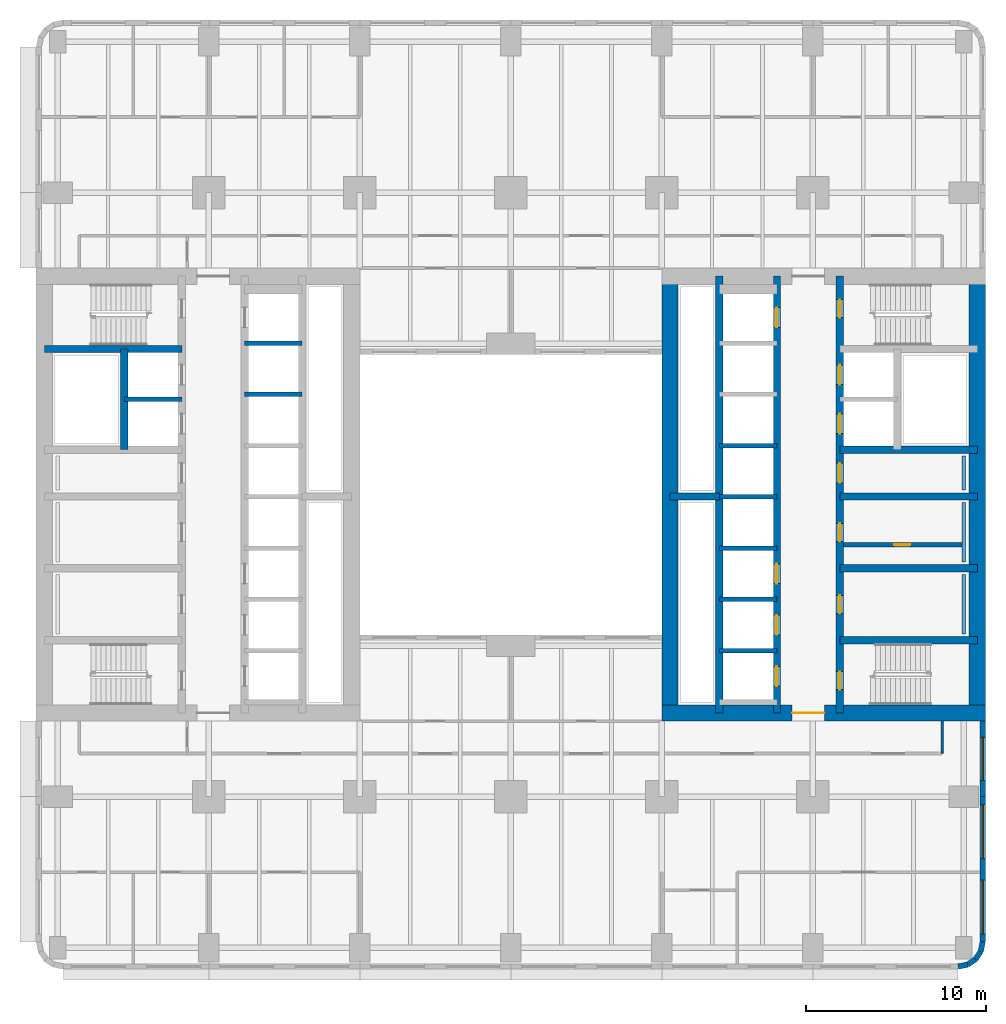
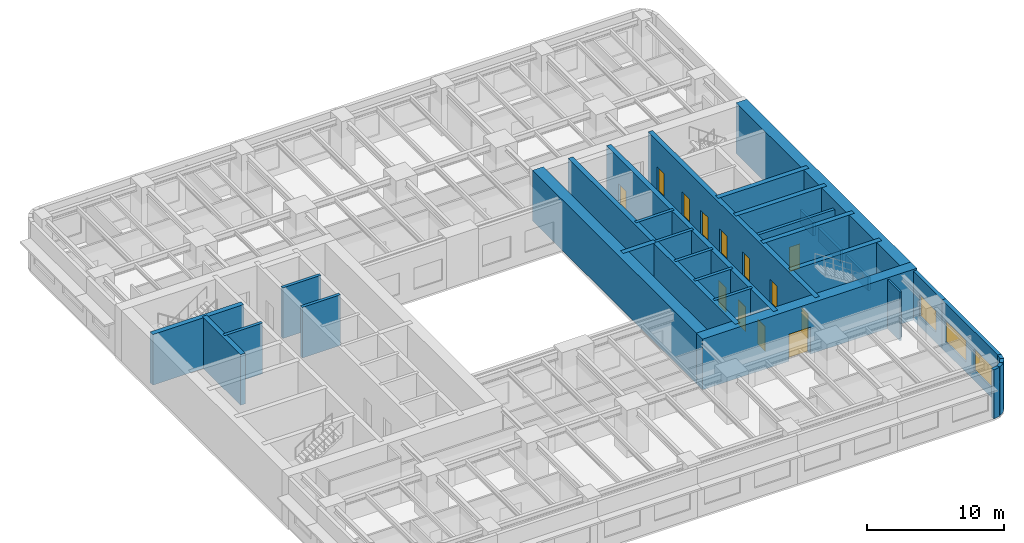
# One storey, part 5 of 14: 32 walls, 13 doors, 3 windows, 16 openings.
"""IFC4 building model written with IfcOpenShell, lengths in metres."""

from ifc_helpers import new_model, si_unit, direction, frame, frame_2d, origin, place, context, subcontext, project, spatial, rectangle, extrude, material, layer, layer_set, type_object, element, fill, save


model = new_model("IFC4")

# Units and contexts
model_context = context("Model", 3, precision=1e-05, world=origin(), true_north=direction((0.0, 1.0)))
body_context = subcontext(model_context, "Body", "Model", "MODEL_VIEW")
ifc_project = project(units=[si_unit("LENGTHUNIT", "METRE"), si_unit("AREAUNIT", "SQUARE_METRE"), si_unit("VOLUMEUNIT", "CUBIC_METRE"), si_unit("PLANEANGLEUNIT", "RADIAN"), si_unit("MASSUNIT", "GRAM", prefix="KILO")], contexts=[model_context])

# Site, building, storey
site_placement = place(None, origin())
site = spatial("IfcSite", under=ifc_project, at=site_placement, CompositionType="ELEMENT")
building_placement = place(site_placement, origin())
building = spatial("IfcBuilding", under=site, at=building_placement, Name="Claustro Exchange Tower", CompositionType="ELEMENT")
storey_placement = place(building_placement, frame((0.0, 0.0, 27.89990234375)))
storey = spatial("IfcBuildingStorey", under=building, at=storey_placement, Name="L06", CompositionType="ELEMENT", Elevation=27.89990234375)

# Wall
ifc_material_1 = material(Name="Gypsum board on steel studs", Category="steel")
ifc_layer_1 = layer(ifc_material_1, 0.14990234375)
ifc_layer_set_1 = layer_set([ifc_layer_1], Name="Gypsum board on steel studs")
wall_type_1 = type_object("IfcWallType", Name="P1 150 plasterboard partition", PredefinedType="PARTITIONING", material=ifc_layer_set_1)
wall_1_placement = place(storey_placement, frame((49.199951171875, 10.800048828125, 0.0), z_axis=(0.0, 0.0, 1.0), x_axis=(0.0, 1.0, 0.0)))
element("IfcWall", 1, at=wall_1_placement, inside=storey, type_object=wall_type_1, Name="Partition P1 L06", PredefinedType="PARTITIONING", context=body_context, shape_type="SweptSolid", body=[
    extrude(rectangle(XDim=1.802001953125, YDim=0.14990234375, at=frame_2d((0.90087890625, 0.0))), origin(), (0.0, 0.0, 1.0), 4.340087890625),
])

# Wall, opening, door
ifc_material_2 = material(Name="Concrete blockwork, rendered", Category="masonry")
ifc_layer_2 = layer(ifc_material_2, 0.25)
ifc_layer_set_2 = layer_set([ifc_layer_2], Name="Concrete blockwork, rendered")
wall_type_2 = type_object("IfcWallType", Name="P4 250 blockwork wall", PredefinedType="PARTITIONING", material=ifc_layer_set_2)
wall_2_placement = place(storey_placement, frame((43.699951171875, 22.39990234375, 0.0), z_axis=(0.0, 0.0, 1.0), x_axis=(1.0, 0.0, 0.0)))
wall_2 = element("IfcWall", 2, at=wall_2_placement, inside=storey, type_object=wall_type_2, Name="Partition P4 L06", PredefinedType="PARTITIONING", context=body_context, shape_type="SweptSolid", body=[
    extrude(rectangle(XDim=6.60009765625, YDim=0.25, at=frame_2d((3.300048828125, 0.0))), origin(), (0.0, 0.0, 1.0), 4.300048828125),
])
opening_1_placement = place(wall_2_placement, frame((2.824951171875, 0.0, 0.0)))
opening_1 = element("IfcOpeningElement", 3, at=opening_1_placement, cuts=wall_2, Name="Opening D5", PredefinedType="OPENING", context=body_context, shape_type="SweptSolid", body=[
    extrude(rectangle(XDim=0.89990234375, YDim=2.199951171875, at=frame_2d((0.449951171875, 1.10009765625))), frame((0.0, 0.135009765625, 0.0), z_axis=(0.0, -1.0, 0.0), x_axis=(1.0, 0.0, 0.0)), (0.0, 0.0, 1.0), 0.27001953125),
])
ifc_material_3 = material(Name="Steel door, painted", Category="steel")
door_type_1 = type_object("IfcDoorType", Name="D5 900 x 2200 store door", OperationType="SINGLE_SWING_LEFT", PredefinedType="DOOR", material=ifc_material_3)
door_1_placement = place(opening_1_placement, frame((0.89990234375, 0.0, 0.0), z_axis=(0.0, 0.0, 1.0), x_axis=(-1.0, 0.0, 0.0)))
door_1 = element("IfcDoor", 4, at=door_1_placement, inside=storey, type_object=door_type_1, Name="Store door D5 L06", OperationType="SINGLE_SWING_LEFT", OverallHeight=2.199951171875, OverallWidth=0.89990234375, PredefinedType="DOOR", context=body_context, shape_type="SweptSolid", body=[
    extrude(rectangle(XDim=0.89990234375, YDim=2.199951171875, at=frame_2d((0.449951171875, 1.10009765625))), frame((0.0, 0.02490234375, 0.0), z_axis=(0.0, -1.0, 0.0), x_axis=(1.0, 0.0, 0.0)), (0.0, 0.0, 1.0), 0.050048828125),
])
fill(opening_1, door_1)

# Wall, opening, window
ifc_material_4 = material(Name="Concrete HA-40 (C40/50), precast, white cement, acid-etched", Category="concrete")
ifc_layer_3 = layer(ifc_material_4, 0.300048828125)
ifc_layer_set_3 = layer_set([ifc_layer_3], Name="Concrete HA-40 (C40/50), precast, white cement, acid-etched")
wall_type_3 = type_object("IfcWallType", Name="PC1 300 precast concrete pier panel", PredefinedType="SOLIDWALL", material=ifc_layer_set_3)
wall_3_placement = place(storey_placement, frame((51.449951171875, 12.60009765625, 0.0), z_axis=(0.0, 0.0, 1.0), x_axis=(0.0, -1.0, 0.0)))
wall_3 = element("IfcWall", 5, at=wall_3_placement, inside=storey, type_object=wall_type_3, Name="Precast pier panel PC1 L06", PredefinedType="SOLIDWALL", context=body_context, shape_type="SweptSolid", body=[
    extrude(rectangle(XDim=4.2001953125, YDim=0.300048828125, at=frame_2d((2.10009765625, 0.0))), origin(), (0.0, 0.0, 1.0), 4.340087890625),
])
opening_2_placement = place(wall_3_placement, frame((0.89990234375, 0.0, 0.89990234375)))
opening_2 = element("IfcOpeningElement", 6, at=opening_2_placement, cuts=wall_3, Name="Opening W2", PredefinedType="OPENING", context=body_context, shape_type="SweptSolid", body=[
    extrude(rectangle(XDim=2.39990234375, YDim=1.89990234375, at=frame_2d((1.199951171875, 0.949951171875))), frame((0.0, 0.159912109375, 0.0), z_axis=(0.0, -1.0, 0.0), x_axis=(1.0, 0.0, 0.0)), (0.0, 0.0, 1.0), 0.320068359375),
])
ifc_material_5 = material(Name="Aluminium frame, clear double glazing", Category="aluminium")
window_type_1 = type_object("IfcWindowType", Name="W2 2400 x 1900 window", PartitioningType="SINGLE_PANEL", PredefinedType="WINDOW", material=ifc_material_5)
window_1_placement = place(opening_2_placement, origin())
window_1 = element("IfcWindow", 7, at=window_1_placement, inside=storey, type_object=window_type_1, Name="Window W2 L06", OverallHeight=1.89990234375, OverallWidth=2.39990234375, PartitioningType="SINGLE_PANEL", PredefinedType="WINDOW", context=body_context, shape_type="SweptSolid", body=[
    extrude(rectangle(XDim=2.39990234375, YDim=1.89990234375, at=frame_2d((1.199951171875, 0.949951171875))), frame((0.0, 0.030029296875, 0.0), z_axis=(0.0, -1.0, 0.0), x_axis=(1.0, 0.0, 0.0)), (0.0, 0.0, 1.0), 0.06005859375),
])
fill(opening_2, window_1)

# Wall, openings, windows
wall_4_placement = place(storey_placement, frame((51.449951171875, 8.39990234375, 0.0), z_axis=(0.0, 0.0, 1.0), x_axis=(0.0, -1.0, 0.0)))
wall_4 = element("IfcWall", 8, at=wall_4_placement, inside=storey, type_object=wall_type_3, Name="Precast pier panel PC1 L06", PredefinedType="SOLIDWALL", context=body_context, shape_type="SweptSolid", body=[
    extrude(rectangle(XDim=8.085205078125, YDim=0.300048828125, at=frame_2d((4.04248046875, 0.0))), origin(), (0.0, 0.0, 1.0), 4.340087890625),
])
opening_3_placement = place(wall_4_placement, frame((0.442626953125, 0.0, 0.89990234375)))
opening_3 = element("IfcOpeningElement", 9, at=opening_3_placement, cuts=wall_4, Name="Opening W1", PredefinedType="OPENING", context=body_context, shape_type="SweptSolid", body=[
    extrude(rectangle(XDim=3.0, YDim=1.89990234375, at=frame_2d((1.5, 0.949951171875))), frame((0.0, 0.159912109375, 0.0), z_axis=(0.0, -1.0, 0.0), x_axis=(1.0, 0.0, 0.0)), (0.0, 0.0, 1.0), 0.320068359375),
])
opening_4_placement = place(wall_4_placement, frame((4.642578125, 0.0, 0.89990234375)))
opening_4 = element("IfcOpeningElement", 10, at=opening_4_placement, cuts=wall_4, Name="Opening W1", PredefinedType="OPENING", context=body_context, shape_type="SweptSolid", body=[
    extrude(rectangle(XDim=3.0, YDim=1.89990234375, at=frame_2d((1.5, 0.949951171875))), frame((0.0, 0.159912109375, 0.0), z_axis=(0.0, -1.0, 0.0), x_axis=(1.0, 0.0, 0.0)), (0.0, 0.0, 1.0), 0.320068359375),
])
ifc_material_6 = material(Name="Aluminium frame, clear double glazing", Category="aluminium")
window_type_2 = type_object("IfcWindowType", Name="W1 3000 x 1900 window", PartitioningType="SINGLE_PANEL", PredefinedType="WINDOW", material=ifc_material_6)
window_2_placement = place(opening_3_placement, origin())
window_2 = element("IfcWindow", 11, at=window_2_placement, inside=storey, type_object=window_type_2, Name="Window W1 L06", OverallHeight=1.89990234375, OverallWidth=3.0, PartitioningType="SINGLE_PANEL", PredefinedType="WINDOW", context=body_context, shape_type="SweptSolid", body=[
    extrude(rectangle(XDim=3.0, YDim=1.89990234375, at=frame_2d((1.5, 0.949951171875))), frame((0.0, 0.030029296875, 0.0), z_axis=(0.0, -1.0, 0.0), x_axis=(1.0, 0.0, 0.0)), (0.0, 0.0, 1.0), 0.06005859375),
])
fill(opening_3, window_2)
window_3_placement = place(opening_4_placement, origin())
window_3 = element("IfcWindow", 12, at=window_3_placement, inside=storey, type_object=window_type_2, Name="Window W1 L06", OverallHeight=1.89990234375, OverallWidth=3.0, PartitioningType="SINGLE_PANEL", PredefinedType="WINDOW", context=body_context, shape_type="SweptSolid", body=[
    extrude(rectangle(XDim=3.0, YDim=1.89990234375, at=frame_2d((1.5, 0.949951171875))), frame((0.0, 0.030029296875, 0.0), z_axis=(0.0, -1.0, 0.0), x_axis=(1.0, 0.0, 0.0)), (0.0, 0.0, 1.0), 0.06005859375),
])
fill(opening_4, window_3)

# Walls
wall_5_placement = place(storey_placement, frame((51.449951171875, 0.314697265625, 0.0), z_axis=(0.0, 0.0, 1.0), x_axis=(-0.195073962632, -0.980788534345, 0.0)))
element("IfcWall", 13, at=wall_5_placement, inside=storey, type_object=wall_type_3, Name="Precast pier panel PC1 L06", PredefinedType="SOLIDWALL", context=body_context, shape_type="SweptSolid", body=[
    extrude(rectangle(XDim=0.540771484375, YDim=0.300048828125, at=frame_2d((0.2705078125, 0.0))), origin(), (0.0, 0.0, 1.0), 4.340087890625),
])
for number, where, z_axis, x_axis, name in (
    (14, (51.344482421875, -0.215576171875, 0.0), (0.0, 0.0, 1.0), (-0.555557463938, -0.831478144188, 0.0), "Precast pier panel PC1 L06"),
    (15, (51.052490234375, -0.652587890625, 0.0), (0.0, 0.0, 1.0), (-0.831478144188, -0.555557463938, 0.0), "Precast pier panel PC1 L06"),
):
    element("IfcWall", number, at=place(storey_placement, frame(where, z_axis=z_axis, x_axis=x_axis)), inside=storey, type_object=wall_type_3, Name=name, PredefinedType="SOLIDWALL", context=body_context, shape_type="SweptSolid", body=[
        extrude(rectangle(XDim=0.525634765625, YDim=0.300048828125, at=frame_2d((0.2626953125, 0.0))), origin(), (0.0, 0.0, 1.0), 4.340087890625),
    ])
wall_6_placement = place(storey_placement, frame((50.615478515625, -0.944580078125, 0.0), z_axis=(0.0, 0.0, 1.0), x_axis=(-0.980788534345, -0.195073962632, 0.0)))
element("IfcWall", 16, at=wall_6_placement, inside=storey, type_object=wall_type_3, Name="Precast pier panel PC1 L06", PredefinedType="SOLIDWALL", context=body_context, shape_type="SweptSolid", body=[
    extrude(rectangle(XDim=0.540771484375, YDim=0.300048828125, at=frame_2d((0.2705078125, 0.0))), origin(), (0.0, 0.0, 1.0), 4.340087890625),
])
ifc_material_7 = material(Name="Gypsum board on steel studs, tiled", Category="steel")
ifc_layer_4 = layer(ifc_material_7, 0.199951171875)
ifc_layer_set_4 = layer_set([ifc_layer_4], Name="Gypsum board on steel studs, tiled")
wall_type_4 = type_object("IfcWallType", Name="PW1 200 WC duct wall", PredefinedType="PLUMBINGWALL", material=ifc_layer_set_4)
for number, where, z_axis, x_axis, name in (
    (17, (50.39990234375, 17.449951171875, 0.0), (0.0, 0.0, 1.0), (0.0, 1.0, 0.0), "WC duct wall PW1 L06"),
    (18, (50.39990234375, 21.449951171875, 0.0), (0.0, 0.0, 1.0), (0.0, 1.0, 0.0), "WC duct wall PW1 L06"),
):
    element("IfcWall", number, at=place(storey_placement, frame(where, z_axis=z_axis, x_axis=x_axis)), inside=storey, type_object=wall_type_4, Name=name, PredefinedType="PLUMBINGWALL", context=body_context, shape_type="SweptSolid", body=[
        extrude(rectangle(XDim=3.300048828125, YDim=0.199951171875, at=frame_2d((1.64990234375, 0.0))), origin(), (0.0, 0.0, 1.0), 1.2001953125),
    ])
wall_7_placement = place(storey_placement, frame((50.39990234375, 25.449951171875, 0.0), z_axis=(0.0, 0.0, 1.0), x_axis=(0.0, 1.0, 0.0)))
element("IfcWall", 19, at=wall_7_placement, inside=storey, type_object=wall_type_4, Name="WC duct wall PW1 L06", PredefinedType="PLUMBINGWALL", context=body_context, shape_type="SweptSolid", body=[
    extrude(rectangle(XDim=1.900146484375, YDim=0.199951171875, at=frame_2d((0.9501953125, 0.0))), origin(), (0.0, 0.0, 1.0), 1.2001953125),
])

# Wall, opening, door
ifc_material_8 = material(Name="Concrete HA-70 (C70/85)", Category="concrete")
ifc_layer_5 = layer(ifc_material_8, 0.89990234375)
ifc_layer_set_5 = layer_set([ifc_layer_5], Name="Concrete HA-70 (C70/85)")
wall_type_5 = type_object("IfcWallType", Name="SW1 900 core shear wall", PredefinedType="SHEAR", material=ifc_layer_set_5)
wall_8_placement = place(storey_placement, frame((33.60009765625, 13.050048828125, 0.0), z_axis=(0.0, 0.0, 1.0), x_axis=(1.0, 0.0, 0.0)))
wall_8 = element("IfcWall", 20, at=wall_8_placement, inside=storey, type_object=wall_type_5, Name="Core wall SW1 E core S face L06", PredefinedType="SHEAR", context=body_context, shape_type="SweptSolid", body=[
    extrude(rectangle(XDim=18.0, YDim=0.89990234375, at=frame_2d((9.0, 0.0))), origin(), (0.0, 0.0, 1.0), 4.5),
])
opening_5_placement = place(wall_8_placement, frame((7.25, 0.0, 0.0)))
opening_5 = element("IfcOpeningElement", 21, at=opening_5_placement, cuts=wall_8, Name="Opening D3", PredefinedType="OPENING", context=body_context, shape_type="SweptSolid", body=[
    extrude(rectangle(XDim=1.800048828125, YDim=2.39990234375, at=frame_2d((0.89990234375, 1.199951171875))), frame((0.0, 0.4599609375, 0.0), z_axis=(0.0, -1.0, 0.0), x_axis=(1.0, 0.0, 0.0)), (0.0, 0.0, 1.0), 0.919921875),
])
ifc_material_9 = material(Name="Steel fire door, painted", Category="steel")
door_type_2 = type_object("IfcDoorType", Name="D3 1800 x 2400 fire-rated lobby double door", OperationType="DOUBLE_DOOR_SINGLE_SWING", PredefinedType="DOOR", material=ifc_material_9)
door_2_placement = place(opening_5_placement, origin())
door_2 = element("IfcDoor", 22, at=door_2_placement, inside=storey, type_object=door_type_2, Name="Lift lobby door D3 L06", OperationType="DOUBLE_DOOR_SINGLE_SWING", OverallHeight=2.39990234375, OverallWidth=1.800048828125, PredefinedType="DOOR", context=body_context, shape_type="SweptSolid", body=[
    extrude(rectangle(XDim=1.800048828125, YDim=2.39990234375, at=frame_2d((0.89990234375, 1.199951171875))), frame((0.0, 0.02490234375, 0.0), z_axis=(0.0, -1.0, 0.0), x_axis=(1.0, 0.0, 0.0)), (0.0, 0.0, 1.0), 0.050048828125),
])
fill(opening_5, door_2)

# Walls
ifc_material_10 = material(Name="Concrete HA-70 (C70/85)", Category="concrete")
ifc_layer_6 = layer(ifc_material_10, 0.89990234375)
ifc_layer_set_6 = layer_set([ifc_layer_6], Name="Concrete HA-70 (C70/85)")
wall_type_6 = type_object("IfcWallType", Name="SW1X 900 exposed core shear wall, board-marked face", PredefinedType="SHEAR", material=ifc_layer_set_6)
for number, where, z_axis, x_axis, name in (
    (23, (34.050048828125, 13.050048828125, 0.0), (0.0, 0.0, 1.0), (0.0, 1.0, 0.0), "Core wall SW1X E core W face L06"),
    (24, (51.14990234375, 13.050048828125, 0.0), (0.0, 0.0, 1.0), (0.0, 1.0, 0.0), "Core wall SW1X E core E face L06"),
):
    element("IfcWall", number, at=place(storey_placement, frame(where, z_axis=z_axis, x_axis=x_axis)), inside=storey, type_object=wall_type_6, Name=name, PredefinedType="SHEAR", context=body_context, shape_type="SweptSolid", body=[
        extrude(rectangle(XDim=24.300048828125, YDim=0.89990234375, at=frame_2d((12.14990234375, 0.0))), origin(), (0.0, 0.0, 1.0), 4.5),
    ])
ifc_material_11 = material(Name="Concrete HA-50 (C50/60)", Category="concrete")
ifc_layer_7 = layer(ifc_material_11, 0.39990234375)
ifc_layer_set_7 = layer_set([ifc_layer_7], Name="Concrete HA-50 (C50/60)")
wall_type_7 = type_object("IfcWallType", Name="SW4 400 internal core wall", PredefinedType="SHEAR", material=ifc_layer_set_7)
wall_9_placement = place(storey_placement, frame((-0.75, 33.300048828125, 0.0), z_axis=(0.0, 0.0, 1.0), x_axis=(1.0, 0.0, 0.0)))
element("IfcWall", 25, at=wall_9_placement, inside=storey, type_object=wall_type_7, Name="Internal core wall SW4 W core L06", PredefinedType="SHEAR", context=body_context, shape_type="SweptSolid", body=[
    extrude(rectangle(XDim=7.64990234375, YDim=0.39990234375, at=frame_2d((3.824951171875, 0.0))), origin(), (0.0, 0.0, 1.0), 4.5),
])
wall_10_placement = place(storey_placement, frame((3.699951171875, 27.699951171875, 0.0), z_axis=(0.0, 0.0, 1.0), x_axis=(0.0, 1.0, 0.0)))
element("IfcWall", 26, at=wall_10_placement, inside=storey, type_object=wall_type_7, Name="Internal core wall SW4 W core L06", PredefinedType="SHEAR", context=body_context, shape_type="SweptSolid", body=[
    extrude(rectangle(XDim=5.60009765625, YDim=0.39990234375, at=frame_2d((2.800048828125, 0.0))), origin(), (0.0, 0.0, 1.0), 4.5),
])

# Wall, openings, doors
wall_11_placement = place(storey_placement, frame((43.5, 13.050048828125, 0.0), z_axis=(0.0, 0.0, 1.0), x_axis=(0.0, 1.0, 0.0)))
wall_11 = element("IfcWall", 27, at=wall_11_placement, inside=storey, type_object=wall_type_7, Name="Internal core wall SW4 E core L06", PredefinedType="SHEAR", context=body_context, shape_type="SweptSolid", body=[
    extrude(rectangle(XDim=24.300048828125, YDim=0.39990234375, at=frame_2d((12.14990234375, 0.0))), origin(), (0.0, 0.0, 1.0), 4.5),
])
opening_6_placement = place(wall_11_placement, frame((1.300048828125, 0.0, 0.0)))
opening_6 = element("IfcOpeningElement", 28, at=opening_6_placement, cuts=wall_11, Name="Opening D4", PredefinedType="OPENING", context=body_context, shape_type="SweptSolid", body=[
    extrude(rectangle(XDim=1.0, YDim=2.199951171875, at=frame_2d((0.5, 1.10009765625))), frame((0.0, 0.2099609375, 0.0), z_axis=(0.0, -1.0, 0.0), x_axis=(1.0, 0.0, 0.0)), (0.0, 0.0, 1.0), 0.419921875),
])
opening_7_placement = place(wall_11_placement, frame((22.0, 0.0, 0.0)))
opening_7 = element("IfcOpeningElement", 29, at=opening_7_placement, cuts=wall_11, Name="Opening D4", PredefinedType="OPENING", context=body_context, shape_type="SweptSolid", body=[
    extrude(rectangle(XDim=1.0, YDim=2.199951171875, at=frame_2d((0.5, 1.10009765625))), frame((0.0, 0.2099609375, 0.0), z_axis=(0.0, -1.0, 0.0), x_axis=(1.0, 0.0, 0.0)), (0.0, 0.0, 1.0), 0.419921875),
])
opening_8_placement = place(wall_11_placement, frame((5.550048828125, 0.0, 0.0)))
opening_8 = element("IfcOpeningElement", 30, at=opening_8_placement, cuts=wall_11, Name="Opening D1", PredefinedType="OPENING", context=body_context, shape_type="SweptSolid", body=[
    extrude(rectangle(XDim=1.0, YDim=2.199951171875, at=frame_2d((0.5, 1.10009765625))), frame((0.0, 0.2099609375, 0.0), z_axis=(0.0, -1.0, 0.0), x_axis=(1.0, 0.0, 0.0)), (0.0, 0.0, 1.0), 0.419921875),
])
opening_9_placement = place(wall_11_placement, frame((9.550048828125, 0.0, 0.0)))
opening_9 = element("IfcOpeningElement", 31, at=opening_9_placement, cuts=wall_11, Name="Opening D1", PredefinedType="OPENING", context=body_context, shape_type="SweptSolid", body=[
    extrude(rectangle(XDim=1.0, YDim=2.199951171875, at=frame_2d((0.5, 1.10009765625))), frame((0.0, 0.2099609375, 0.0), z_axis=(0.0, -1.0, 0.0), x_axis=(1.0, 0.0, 0.0)), (0.0, 0.0, 1.0), 0.419921875),
])
opening_10_placement = place(wall_11_placement, frame((12.800048828125, 0.0, 0.0)))
opening_10 = element("IfcOpeningElement", 32, at=opening_10_placement, cuts=wall_11, Name="Opening D10", PredefinedType="OPENING", context=body_context, shape_type="SweptSolid", body=[
    extrude(rectangle(XDim=1.10009765625, YDim=2.199951171875, at=frame_2d((0.550048828125, 1.10009765625))), frame((0.0, 0.2099609375, 0.0), z_axis=(0.0, -1.0, 0.0), x_axis=(1.0, 0.0, 0.0)), (0.0, 0.0, 1.0), 0.419921875),
])
opening_11_placement = place(wall_11_placement, frame((15.53759765625, 0.0, 0.0)))
opening_11 = element("IfcOpeningElement", 33, at=opening_11_placement, cuts=wall_11, Name="Opening LD", PredefinedType="OPENING", context=body_context, shape_type="SweptSolid", body=[
    extrude(rectangle(XDim=1.10009765625, YDim=2.199951171875, at=frame_2d((0.550048828125, 1.10009765625))), frame((0.0, 0.2099609375, 0.0), z_axis=(0.0, -1.0, 0.0), x_axis=(1.0, 0.0, 0.0)), (0.0, 0.0, 1.0), 0.419921875),
])
opening_12_placement = place(wall_11_placement, frame((18.262451171875, 0.0, 0.0)))
opening_12 = element("IfcOpeningElement", 34, at=opening_12_placement, cuts=wall_11, Name="Opening LD", PredefinedType="OPENING", context=body_context, shape_type="SweptSolid", body=[
    extrude(rectangle(XDim=1.10009765625, YDim=2.199951171875, at=frame_2d((0.550048828125, 1.10009765625))), frame((0.0, 0.2099609375, 0.0), z_axis=(0.0, -1.0, 0.0), x_axis=(1.0, 0.0, 0.0)), (0.0, 0.0, 1.0), 0.419921875),
])
ifc_material_12 = material(Name="Timber door, oak veneer", Category="wood")
door_type_3 = type_object("IfcDoorType", Name="D1 1000 x 2200 single door", OperationType="SINGLE_SWING_LEFT", PredefinedType="DOOR", material=ifc_material_12)
door_3_placement = place(opening_8_placement, frame((1.0, 0.0, 0.0), z_axis=(0.0, 0.0, 1.0), x_axis=(-1.0, 0.0, 0.0)))
door_3 = element("IfcDoor", 35, at=door_3_placement, inside=storey, type_object=door_type_3, Name="Door D1 L06", OperationType="SINGLE_SWING_LEFT", OverallHeight=2.199951171875, OverallWidth=1.0, PredefinedType="DOOR", context=body_context, shape_type="SweptSolid", body=[
    extrude(rectangle(XDim=1.0, YDim=2.199951171875, at=frame_2d((0.5, 1.10009765625))), frame((0.0, 0.02490234375, 0.0), z_axis=(0.0, -1.0, 0.0), x_axis=(1.0, 0.0, 0.0)), (0.0, 0.0, 1.0), 0.050048828125),
])
fill(opening_8, door_3)
door_4_placement = place(opening_9_placement, frame((1.0, 0.0, 0.0), z_axis=(0.0, 0.0, 1.0), x_axis=(-1.0, 0.0, 0.0)))
door_4 = element("IfcDoor", 36, at=door_4_placement, inside=storey, type_object=door_type_3, Name="Door D1 L06", OperationType="SINGLE_SWING_RIGHT", OverallHeight=2.199951171875, OverallWidth=1.0, PredefinedType="DOOR", context=body_context, shape_type="SweptSolid", body=[
    extrude(rectangle(XDim=1.0, YDim=2.199951171875, at=frame_2d((0.5, 1.10009765625))), frame((0.0, 0.02490234375, 0.0), z_axis=(0.0, -1.0, 0.0), x_axis=(1.0, 0.0, 0.0)), (0.0, 0.0, 1.0), 0.050048828125),
])
fill(opening_9, door_4)
ifc_material_13 = material(Name="Timber door, oak veneer", Category="wood")
door_type_4 = type_object("IfcDoorType", Name="D10 1100 x 2200 accessible WC door", OperationType="SINGLE_SWING_LEFT", PredefinedType="DOOR", material=ifc_material_13)
door_5_placement = place(opening_10_placement, origin())
door_5 = element("IfcDoor", 37, at=door_5_placement, inside=storey, type_object=door_type_4, Name="Accessible WC door D10 L06", OperationType="SINGLE_SWING_RIGHT", OverallHeight=2.199951171875, OverallWidth=1.10009765625, PredefinedType="DOOR", context=body_context, shape_type="SweptSolid", body=[
    extrude(rectangle(XDim=1.10009765625, YDim=2.199951171875, at=frame_2d((0.550048828125, 1.10009765625))), frame((0.0, 0.02490234375, 0.0), z_axis=(0.0, -1.0, 0.0), x_axis=(1.0, 0.0, 0.0)), (0.0, 0.0, 1.0), 0.050048828125),
])
fill(opening_10, door_5)
ifc_material_14 = material(Name="Steel fire door, painted", Category="steel")
door_type_5 = type_object("IfcDoorType", Name="D4 1000 x 2200 fire-rated stair door", OperationType="SINGLE_SWING_LEFT", PredefinedType="DOOR", material=ifc_material_14)
door_6_placement = place(opening_6_placement, frame((1.0, 0.0, 0.0), z_axis=(0.0, 0.0, 1.0), x_axis=(-1.0, 0.0, 0.0)))
door_6 = element("IfcDoor", 38, at=door_6_placement, inside=storey, type_object=door_type_5, Name="Stair door D4 L06", OperationType="SINGLE_SWING_RIGHT", OverallHeight=2.199951171875, OverallWidth=1.0, PredefinedType="DOOR", context=body_context, shape_type="SweptSolid", body=[
    extrude(rectangle(XDim=1.0, YDim=2.199951171875, at=frame_2d((0.5, 1.10009765625))), frame((0.0, 0.02490234375, 0.0), z_axis=(0.0, -1.0, 0.0), x_axis=(1.0, 0.0, 0.0)), (0.0, 0.0, 1.0), 0.050048828125),
])
fill(opening_6, door_6)
door_7_placement = place(opening_7_placement, frame((1.0, 0.0, 0.0), z_axis=(0.0, 0.0, 1.0), x_axis=(-1.0, 0.0, 0.0)))
door_7 = element("IfcDoor", 39, at=door_7_placement, inside=storey, type_object=door_type_5, Name="Stair door D4 L06", OperationType="SINGLE_SWING_LEFT", OverallHeight=2.199951171875, OverallWidth=1.0, PredefinedType="DOOR", context=body_context, shape_type="SweptSolid", body=[
    extrude(rectangle(XDim=1.0, YDim=2.199951171875, at=frame_2d((0.5, 1.10009765625))), frame((0.0, 0.02490234375, 0.0), z_axis=(0.0, -1.0, 0.0), x_axis=(1.0, 0.0, 0.0)), (0.0, 0.0, 1.0), 0.050048828125),
])
fill(opening_7, door_7)
ifc_material_15 = material(Name="Stainless steel sliding door", Category="steel")
door_type_6 = type_object("IfcDoorType", Name="LD 1100 x 2200 lift landing door", OperationType="DOUBLE_DOOR_SLIDING", PredefinedType="DOOR", material=ifc_material_15)
door_8_placement = place(opening_11_placement, origin())
door_8 = element("IfcDoor", 40, at=door_8_placement, inside=storey, type_object=door_type_6, Name="Lift landing door LEE1 LD L06", OperationType="DOUBLE_DOOR_SLIDING", OverallHeight=2.199951171875, OverallWidth=1.10009765625, PredefinedType="DOOR", context=body_context, shape_type="SweptSolid", body=[
    extrude(rectangle(XDim=1.10009765625, YDim=2.199951171875, at=frame_2d((0.550048828125, 1.10009765625))), frame((0.0, 0.02490234375, 0.0), z_axis=(0.0, -1.0, 0.0), x_axis=(1.0, 0.0, 0.0)), (0.0, 0.0, 1.0), 0.050048828125),
])
fill(opening_11, door_8)
door_9_placement = place(opening_12_placement, origin())
door_9 = element("IfcDoor", 41, at=door_9_placement, inside=storey, type_object=door_type_6, Name="Lift landing door LEE2 LD L06", OperationType="DOUBLE_DOOR_SLIDING", OverallHeight=2.199951171875, OverallWidth=1.10009765625, PredefinedType="DOOR", context=body_context, shape_type="SweptSolid", body=[
    extrude(rectangle(XDim=1.10009765625, YDim=2.199951171875, at=frame_2d((0.550048828125, 1.10009765625))), frame((0.0, 0.02490234375, 0.0), z_axis=(0.0, -1.0, 0.0), x_axis=(1.0, 0.0, 0.0)), (0.0, 0.0, 1.0), 0.050048828125),
])
fill(opening_12, door_9)

wall_12_placement = place(storey_placement, frame((40.0, 13.050048828125, 0.0), z_axis=(0.0, 0.0, 1.0), x_axis=(0.0, 1.0, 0.0)))
wall_12 = element("IfcWall", 42, at=wall_12_placement, inside=storey, type_object=wall_type_7, Name="Internal core wall SW4 E core L06", PredefinedType="SHEAR", context=body_context, shape_type="SweptSolid", body=[
    extrude(rectangle(XDim=24.300048828125, YDim=0.39990234375, at=frame_2d((12.14990234375, 0.0))), origin(), (0.0, 0.0, 1.0), 4.5),
])
opening_13_placement = place(wall_12_placement, frame((1.5, 0.0, 0.0)))
opening_13 = element("IfcOpeningElement", 43, at=opening_13_placement, cuts=wall_12, Name="Opening LD", PredefinedType="OPENING", context=body_context, shape_type="SweptSolid", body=[
    extrude(rectangle(XDim=1.10009765625, YDim=2.199951171875, at=frame_2d((0.550048828125, 1.10009765625))), frame((0.0, 0.2099609375, 0.0), z_axis=(0.0, -1.0, 0.0), x_axis=(1.0, 0.0, 0.0)), (0.0, 0.0, 1.0), 0.419921875),
])
opening_14_placement = place(wall_12_placement, frame((4.35009765625, 0.0, 0.0)))
opening_14 = element("IfcOpeningElement", 44, at=opening_14_placement, cuts=wall_12, Name="Opening LD", PredefinedType="OPENING", context=body_context, shape_type="SweptSolid", body=[
    extrude(rectangle(XDim=1.10009765625, YDim=2.199951171875, at=frame_2d((0.550048828125, 1.10009765625))), frame((0.0, 0.2099609375, 0.0), z_axis=(0.0, -1.0, 0.0), x_axis=(1.0, 0.0, 0.0)), (0.0, 0.0, 1.0), 0.419921875),
])
opening_15_placement = place(wall_12_placement, frame((7.199951171875, 0.0, 0.0)))
opening_15 = element("IfcOpeningElement", 45, at=opening_15_placement, cuts=wall_12, Name="Opening LD", PredefinedType="OPENING", context=body_context, shape_type="SweptSolid", body=[
    extrude(rectangle(XDim=1.10009765625, YDim=2.199951171875, at=frame_2d((0.550048828125, 1.10009765625))), frame((0.0, 0.2099609375, 0.0), z_axis=(0.0, -1.0, 0.0), x_axis=(1.0, 0.0, 0.0)), (0.0, 0.0, 1.0), 0.419921875),
])
opening_16_placement = place(wall_12_placement, frame((21.449951171875, 0.0, 0.0)))
opening_16 = element("IfcOpeningElement", 46, at=opening_16_placement, cuts=wall_12, Name="Opening LD", PredefinedType="OPENING", context=body_context, shape_type="SweptSolid", body=[
    extrude(rectangle(XDim=1.10009765625, YDim=2.199951171875, at=frame_2d((0.550048828125, 1.10009765625))), frame((0.0, 0.2099609375, 0.0), z_axis=(0.0, -1.0, 0.0), x_axis=(1.0, 0.0, 0.0)), (0.0, 0.0, 1.0), 0.419921875),
])
door_10_placement = place(opening_13_placement, origin())
door_10 = element("IfcDoor", 47, at=door_10_placement, inside=storey, type_object=door_type_6, Name="Lift landing door LLE1 LD L06", OperationType="DOUBLE_DOOR_SLIDING", OverallHeight=2.199951171875, OverallWidth=1.10009765625, PredefinedType="DOOR", context=body_context, shape_type="SweptSolid", body=[
    extrude(rectangle(XDim=1.10009765625, YDim=2.199951171875, at=frame_2d((0.550048828125, 1.10009765625))), frame((0.0, 0.02490234375, 0.0), z_axis=(0.0, -1.0, 0.0), x_axis=(1.0, 0.0, 0.0)), (0.0, 0.0, 1.0), 0.050048828125),
])
fill(opening_13, door_10)
door_11_placement = place(opening_14_placement, origin())
door_11 = element("IfcDoor", 48, at=door_11_placement, inside=storey, type_object=door_type_6, Name="Lift landing door LLE2 LD L06", OperationType="DOUBLE_DOOR_SLIDING", OverallHeight=2.199951171875, OverallWidth=1.10009765625, PredefinedType="DOOR", context=body_context, shape_type="SweptSolid", body=[
    extrude(rectangle(XDim=1.10009765625, YDim=2.199951171875, at=frame_2d((0.550048828125, 1.10009765625))), frame((0.0, 0.02490234375, 0.0), z_axis=(0.0, -1.0, 0.0), x_axis=(1.0, 0.0, 0.0)), (0.0, 0.0, 1.0), 0.050048828125),
])
fill(opening_14, door_11)
door_12_placement = place(opening_15_placement, origin())
door_12 = element("IfcDoor", 49, at=door_12_placement, inside=storey, type_object=door_type_6, Name="Lift landing door LLE3 LD L06", OperationType="DOUBLE_DOOR_SLIDING", OverallHeight=2.199951171875, OverallWidth=1.10009765625, PredefinedType="DOOR", context=body_context, shape_type="SweptSolid", body=[
    extrude(rectangle(XDim=1.10009765625, YDim=2.199951171875, at=frame_2d((0.550048828125, 1.10009765625))), frame((0.0, 0.02490234375, 0.0), z_axis=(0.0, -1.0, 0.0), x_axis=(1.0, 0.0, 0.0)), (0.0, 0.0, 1.0), 0.050048828125),
])
fill(opening_15, door_12)
door_13_placement = place(opening_16_placement, origin())
door_13 = element("IfcDoor", 50, at=door_13_placement, inside=storey, type_object=door_type_6, Name="Lift landing door LSE1 LD L06", OperationType="DOUBLE_DOOR_SLIDING", OverallHeight=2.199951171875, OverallWidth=1.10009765625, PredefinedType="DOOR", context=body_context, shape_type="SweptSolid", body=[
    extrude(rectangle(XDim=1.10009765625, YDim=2.199951171875, at=frame_2d((0.550048828125, 1.10009765625))), frame((0.0, 0.02490234375, 0.0), z_axis=(0.0, -1.0, 0.0), x_axis=(1.0, 0.0, 0.0)), (0.0, 0.0, 1.0), 0.050048828125),
])
fill(opening_16, door_13)

# Walls
wall_13_placement = place(storey_placement, frame((36.800048828125, 13.050048828125, 0.0), z_axis=(0.0, 0.0, 1.0), x_axis=(0.0, 1.0, 0.0)))
element("IfcWall", 51, at=wall_13_placement, inside=storey, type_object=wall_type_7, Name="Internal core wall SW4 E core L06", PredefinedType="SHEAR", context=body_context, shape_type="SweptSolid", body=[
    extrude(rectangle(XDim=24.300048828125, YDim=0.39990234375, at=frame_2d((12.14990234375, 0.0))), origin(), (0.0, 0.0, 1.0), 4.5),
])
for number, where, z_axis, x_axis, name in (
    (52, (51.14990234375, 17.10009765625, 0.0), (0.0, 0.0, 1.0), (-1.0, 0.0, 0.0), "Internal core wall SW4 E core L06"),
    (53, (51.14990234375, 21.10009765625, 0.0), (0.0, 0.0, 1.0), (-1.0, 0.0, 0.0), "Internal core wall SW4 E core L06"),
    (54, (51.14990234375, 25.10009765625, 0.0), (0.0, 0.0, 1.0), (-1.0, 0.0, 0.0), "Internal core wall SW4 E core L06"),
    (55, (51.14990234375, 27.699951171875, 0.0), (0.0, 0.0, 1.0), (-1.0, 0.0, 0.0), "Internal core wall SW4 E core L06"),
):
    element("IfcWall", number, at=place(storey_placement, frame(where, z_axis=z_axis, x_axis=x_axis)), inside=storey, type_object=wall_type_7, Name=name, PredefinedType="SHEAR", context=body_context, shape_type="SweptSolid", body=[
        extrude(rectangle(XDim=7.64990234375, YDim=0.39990234375, at=frame_2d((3.824951171875, 0.0))), origin(), (0.0, 0.0, 1.0), 4.5),
    ])
wall_14_placement = place(storey_placement, frame((36.800048828125, 25.10009765625, 0.0), z_axis=(0.0, 0.0, 1.0), x_axis=(-1.0, 0.0, 0.0)))
element("IfcWall", 56, at=wall_14_placement, inside=storey, type_object=wall_type_7, Name="Internal core wall SW4 E core L06", PredefinedType="SHEAR", context=body_context, shape_type="SweptSolid", body=[
    extrude(rectangle(XDim=2.75, YDim=0.39990234375, at=frame_2d((1.375, 0.0))), origin(), (0.0, 0.0, 1.0), 4.5),
])
ifc_material_16 = material(Name="Concrete HA-50 (C50/60)", Category="concrete")
ifc_layer_8 = layer(ifc_material_16, 0.25)
ifc_layer_set_8 = layer_set([ifc_layer_8], Name="Concrete HA-50 (C50/60)")
wall_type_8 = type_object("IfcWallType", Name="SW5 250 lift shaft divider wall", PredefinedType="SHEAR", material=ifc_layer_set_8)
wall_15_placement = place(storey_placement, frame((3.699951171875, 30.5, 0.0), z_axis=(0.0, 0.0, 1.0), x_axis=(1.0, 0.0, 0.0)))
element("IfcWall", 57, at=wall_15_placement, inside=storey, type_object=wall_type_8, Name="Lift shaft wall W core L06", PredefinedType="SHEAR", context=body_context, shape_type="SweptSolid", body=[
    extrude(rectangle(XDim=3.199951171875, YDim=0.25, at=frame_2d((1.60009765625, 0.0))), origin(), (0.0, 0.0, 1.0), 4.5),
])
for number, where, z_axis, x_axis, name in (
    (58, (10.39990234375, 30.77490234375, 0.0), (0.0, 0.0, 1.0), (1.0, 0.0, 0.0), "Lift shaft wall W core L06"),
    (59, (10.39990234375, 33.625, 0.0), (0.0, 0.0, 1.0), (1.0, 0.0, 0.0), "Lift shaft wall W core L06"),
):
    element("IfcWall", number, at=place(storey_placement, frame(where, z_axis=z_axis, x_axis=x_axis)), inside=storey, type_object=wall_type_8, Name=name, PredefinedType="SHEAR", context=body_context, shape_type="SweptSolid", body=[
        extrude(rectangle(XDim=3.2001953125, YDim=0.25, at=frame_2d((1.60009765625, 0.0))), origin(), (0.0, 0.0, 1.0), 4.5),
    ])
for number, where, z_axis, x_axis, name in (
    (60, (40.0, 16.52490234375, 0.0), (0.0, 0.0, 1.0), (-1.0, 0.0, 0.0), "Lift shaft wall E core L06"),
    (61, (40.0, 19.375, 0.0), (0.0, 0.0, 1.0), (-1.0, 0.0, 0.0), "Lift shaft wall E core L06"),
    (62, (40.0, 22.22509765625, 0.0), (0.0, 0.0, 1.0), (-1.0, 0.0, 0.0), "Lift shaft wall E core L06"),
    (63, (40.0, 25.074951171875, 0.0), (0.0, 0.0, 1.0), (-1.0, 0.0, 0.0), "Lift shaft wall E core L06"),
    (64, (40.0, 27.925048828125, 0.0), (0.0, 0.0, 1.0), (-1.0, 0.0, 0.0), "Lift shaft wall E core L06"),
):
    element("IfcWall", number, at=place(storey_placement, frame(where, z_axis=z_axis, x_axis=x_axis)), inside=storey, type_object=wall_type_8, Name=name, PredefinedType="SHEAR", context=body_context, shape_type="SweptSolid", body=[
        extrude(rectangle(XDim=3.199951171875, YDim=0.25, at=frame_2d((1.60009765625, 0.0))), origin(), (0.0, 0.0, 1.0), 4.5),
    ])

save(model, "model.ifc")
